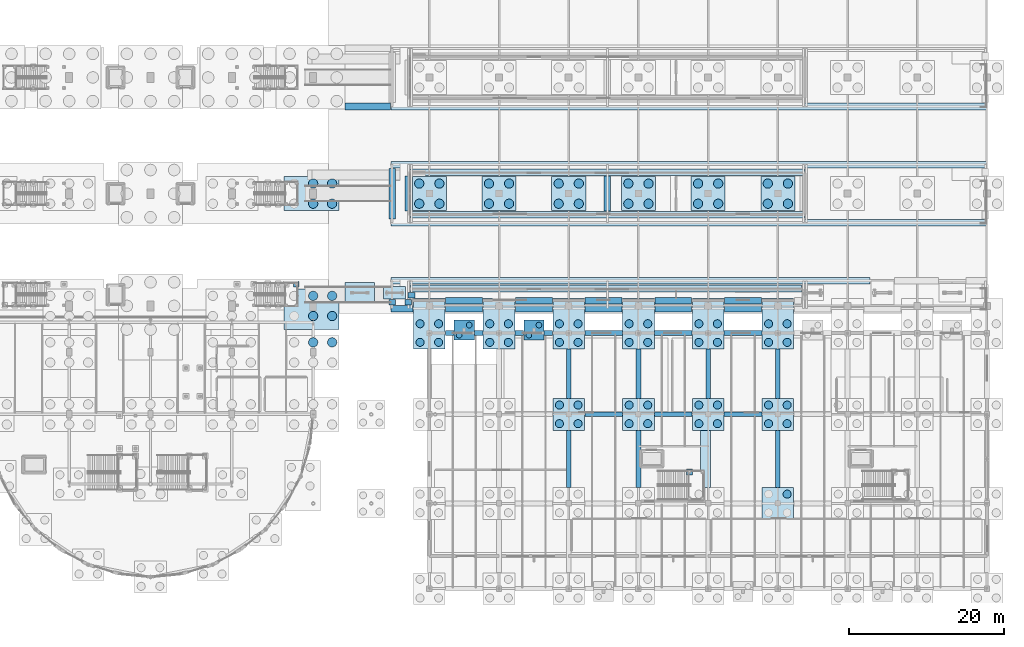
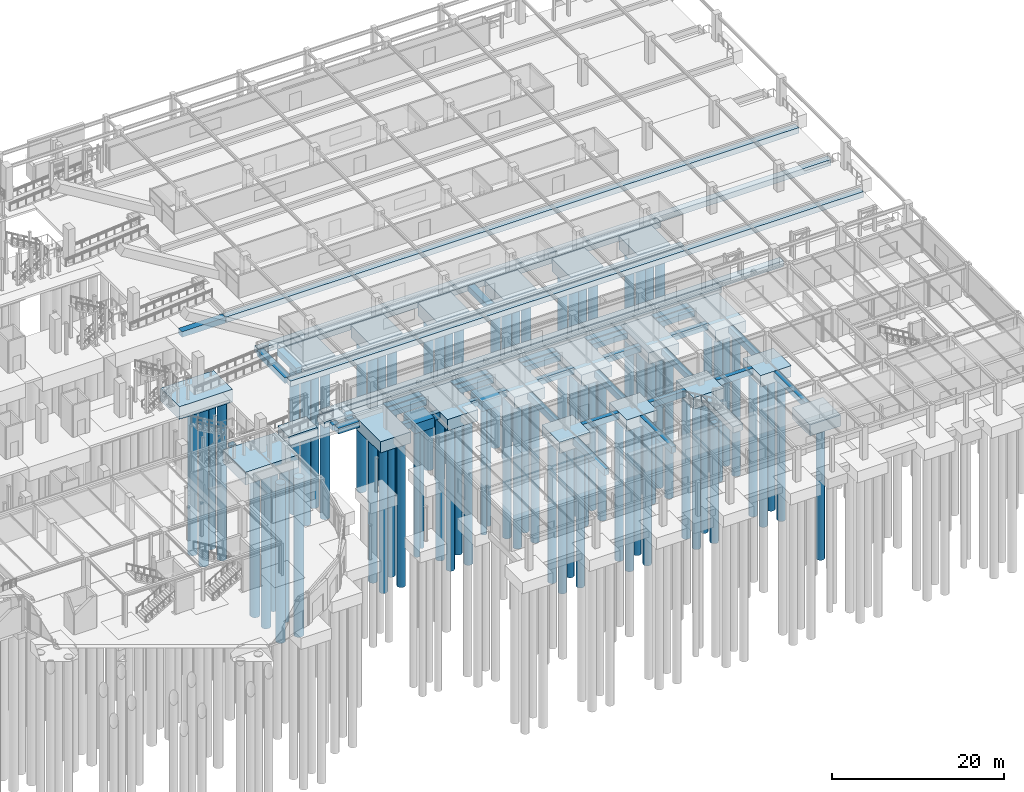
# One storey, part 6 of 160: 79 piles, 68 footings.
"""IFC4 building model written with IfcOpenShell, lengths in metres."""

from ifc_helpers import new_model, si_unit, direction, frame, origin, origin_2d, place, context, subcontext, project, spatial, rectangle, circle, extrude, material, material_profile, profile_set, type_object, element, save


model = new_model("IFC4")

# Units and contexts
model_context = context("Model", 3, precision=1e-05, world=origin(), true_north=direction((0.0, 1.0)))
body_context = subcontext(model_context, "Body", "Model", "MODEL_VIEW")
ifc_project = project(units=[si_unit("LENGTHUNIT", "METRE"), si_unit("AREAUNIT", "SQUARE_METRE"), si_unit("VOLUMEUNIT", "CUBIC_METRE"), si_unit("PLANEANGLEUNIT", "RADIAN"), si_unit("MASSUNIT", "GRAM", prefix="KILO")], contexts=[model_context])

# Site, building, storey
site_placement = place(None, origin())
site = spatial("IfcSite", under=ifc_project, at=site_placement, CompositionType="ELEMENT")
building_placement = place(site_placement, origin())
building = spatial("IfcBuilding", under=site, at=building_placement, Name="Marlcrest Central Station", CompositionType="ELEMENT")
storey_placement = place(building_placement, origin())
storey = spatial("IfcBuildingStorey", under=building, at=storey_placement, Name="L00", CompositionType="ELEMENT", Elevation=0.0)

# Piles
ifc_material_1 = material(Name="Concrete C35/45", Category="concrete")
ifc_material_profile_1 = material_profile(ifc_material_1, circle(Radius=0.375, at=origin_2d()), Name="PILE D750")
ifc_profile_set_1 = profile_set([ifc_material_profile_1], Name="Concrete C35/45")
pile_type_1 = type_object("IfcPileType", Name="BP-01", PredefinedType="BORED", material=ifc_profile_set_1)
for number, where, z_axis, x_axis, name in (
    (1, (147.85009765625, 32.72998046875, -1.300048828125), (0.0, 0.0, -1.0), (1.0, 0.0, 0.0), "pile-BP-01-0313"),
    (2, (149.14990234375, 34.030029296875, -1.300048828125), (0.0, 0.0, -1.0), (1.0, 0.0, 0.0), "pile-BP-01-0314"),
    (3, (156.85009765625, 32.72998046875, -1.300048828125), (0.0, 0.0, -1.0), (1.0, 0.0, 0.0), "pile-BP-01-0315"),
    (4, (158.14990234375, 34.030029296875, -1.300048828125), (0.0, 0.0, -1.0), (1.0, 0.0, 0.0), "pile-BP-01-0316"),
):
    element("IfcPile", number, at=place(storey_placement, frame(where, z_axis=z_axis, x_axis=x_axis)), inside=storey, type_object=pile_type_1, Name=name, PredefinedType="BORED", context=body_context, shape_type="SweptSolid", body=[
        extrude(circle(Radius=0.375, at=origin_2d()), origin(), (0.0, 0.0, 1.0), 18.0),
    ])
ifc_material_profile_2 = material_profile(ifc_material_1, circle(Radius=0.52490234375, at=origin_2d()), Name="PILE D1050")
ifc_profile_set_2 = profile_set([ifc_material_profile_2], Name="Concrete C35/45")
pile_type_2 = type_object("IfcPileType", Name="BP-03", PredefinedType="BORED", material=ifc_profile_set_2)
for number, where, z_axis, x_axis, name in (
    (5, (142.800048828125, 31.800048828125, -1.5), (0.0, 0.0, -1.0), (1.0, 0.0, 0.0), "pile-BP-03-0181"),
    (6, (145.199951171875, 31.800048828125, -1.5), (0.0, 0.0, -1.0), (1.0, 0.0, 0.0), "pile-BP-03-0182"),
    (7, (142.800048828125, 34.199951171875, -1.5), (0.0, 0.0, -1.0), (1.0, 0.0, 0.0), "pile-BP-03-0183"),
    (8, (145.199951171875, 34.199951171875, -1.5), (0.0, 0.0, -1.0), (1.0, 0.0, 0.0), "pile-BP-03-0184"),
    (9, (151.800048828125, 31.800048828125, -1.5), (0.0, 0.0, -1.0), (1.0, 0.0, 0.0), "pile-BP-03-0197"),
    (10, (154.199951171875, 31.800048828125, -1.5), (0.0, 0.0, -1.0), (1.0, 0.0, 0.0), "pile-BP-03-0198"),
    (11, (151.800048828125, 34.199951171875, -1.5), (0.0, 0.0, -1.0), (1.0, 0.0, 0.0), "pile-BP-03-0199"),
    (12, (154.199951171875, 34.199951171875, -1.5), (0.0, 0.0, -1.0), (1.0, 0.0, 0.0), "pile-BP-03-0200"),
    (13, (160.800048828125, 21.300048828125, -1.5), (0.0, 0.0, -1.0), (1.0, 0.0, 0.0), "pile-BP-03-0209"),
    (14, (163.199951171875, 21.300048828125, -1.5), (0.0, 0.0, -1.0), (1.0, 0.0, 0.0), "pile-BP-03-0210"),
    (15, (160.800048828125, 23.699951171875, -1.5), (0.0, 0.0, -1.0), (1.0, 0.0, 0.0), "pile-BP-03-0211"),
    (16, (163.199951171875, 23.699951171875, -1.5), (0.0, 0.0, -1.0), (1.0, 0.0, 0.0), "pile-BP-03-0212"),
    (17, (160.800048828125, 31.800048828125, -1.5), (0.0, 0.0, -1.0), (1.0, 0.0, 0.0), "pile-BP-03-0213"),
    (18, (163.199951171875, 31.800048828125, -1.5), (0.0, 0.0, -1.0), (1.0, 0.0, 0.0), "pile-BP-03-0214"),
    (19, (160.800048828125, 34.199951171875, -1.5), (0.0, 0.0, -1.0), (1.0, 0.0, 0.0), "pile-BP-03-0215"),
    (20, (163.199951171875, 34.199951171875, -1.5), (0.0, 0.0, -1.0), (1.0, 0.0, 0.0), "pile-BP-03-0216"),
    (21, (169.800048828125, 21.300048828125, -1.5), (0.0, 0.0, -1.0), (1.0, 0.0, 0.0), "pile-BP-03-0225"),
    (22, (172.199951171875, 21.300048828125, -1.5), (0.0, 0.0, -1.0), (1.0, 0.0, 0.0), "pile-BP-03-0226"),
    (23, (169.800048828125, 23.699951171875, -1.5), (0.0, 0.0, -1.0), (1.0, 0.0, 0.0), "pile-BP-03-0227"),
    (24, (172.199951171875, 23.699951171875, -1.5), (0.0, 0.0, -1.0), (1.0, 0.0, 0.0), "pile-BP-03-0228"),
    (25, (169.800048828125, 31.800048828125, -1.5), (0.0, 0.0, -1.0), (1.0, 0.0, 0.0), "pile-BP-03-0229"),
    (26, (172.199951171875, 31.800048828125, -1.5), (0.0, 0.0, -1.0), (1.0, 0.0, 0.0), "pile-BP-03-0230"),
    (27, (169.800048828125, 34.199951171875, -1.5), (0.0, 0.0, -1.0), (1.0, 0.0, 0.0), "pile-BP-03-0231"),
    (28, (172.199951171875, 34.199951171875, -1.5), (0.0, 0.0, -1.0), (1.0, 0.0, 0.0), "pile-BP-03-0232"),
    (29, (178.800048828125, 21.300048828125, -1.5), (0.0, 0.0, -1.0), (1.0, 0.0, 0.0), "pile-BP-03-0241"),
    (30, (181.199951171875, 21.300048828125, -1.5), (0.0, 0.0, -1.0), (1.0, 0.0, 0.0), "pile-BP-03-0242"),
    (31, (178.800048828125, 23.699951171875, -1.5), (0.0, 0.0, -1.0), (1.0, 0.0, 0.0), "pile-BP-03-0243"),
    (32, (181.199951171875, 23.699951171875, -1.5), (0.0, 0.0, -1.0), (1.0, 0.0, 0.0), "pile-BP-03-0244"),
    (33, (178.800048828125, 31.800048828125, -1.5), (0.0, 0.0, -1.0), (1.0, 0.0, 0.0), "pile-BP-03-0245"),
    (34, (181.199951171875, 31.800048828125, -1.5), (0.0, 0.0, -1.0), (1.0, 0.0, 0.0), "pile-BP-03-0246"),
    (35, (178.800048828125, 34.199951171875, -1.5), (0.0, 0.0, -1.0), (1.0, 0.0, 0.0), "pile-BP-03-0247"),
    (36, (181.199951171875, 34.199951171875, -1.5), (0.0, 0.0, -1.0), (1.0, 0.0, 0.0), "pile-BP-03-0248"),
    (37, (190.199951171875, 12.199951171875, -1.5), (0.0, 0.0, -1.0), (1.0, 0.0, 0.0), "pile-BP-03-0256"),
    (38, (187.800048828125, 21.300048828125, -1.5), (0.0, 0.0, -1.0), (1.0, 0.0, 0.0), "pile-BP-03-0257"),
    (39, (190.199951171875, 21.300048828125, -1.5), (0.0, 0.0, -1.0), (1.0, 0.0, 0.0), "pile-BP-03-0258"),
    (40, (187.800048828125, 23.699951171875, -1.5), (0.0, 0.0, -1.0), (1.0, 0.0, 0.0), "pile-BP-03-0259"),
    (41, (190.199951171875, 23.699951171875, -1.5), (0.0, 0.0, -1.0), (1.0, 0.0, 0.0), "pile-BP-03-0260"),
    (42, (187.800048828125, 31.800048828125, -1.5), (0.0, 0.0, -1.0), (1.0, 0.0, 0.0), "pile-BP-03-0261"),
    (43, (190.199951171875, 31.800048828125, -1.5), (0.0, 0.0, -1.0), (1.0, 0.0, 0.0), "pile-BP-03-0262"),
    (44, (187.800048828125, 34.199951171875, -1.5), (0.0, 0.0, -1.0), (1.0, 0.0, 0.0), "pile-BP-03-0263"),
    (45, (190.199951171875, 34.199951171875, -1.5), (0.0, 0.0, -1.0), (1.0, 0.0, 0.0), "pile-BP-03-0264"),
):
    element("IfcPile", number, at=place(storey_placement, frame(where, z_axis=z_axis, x_axis=x_axis)), inside=storey, type_object=pile_type_2, Name=name, PredefinedType="BORED", context=body_context, shape_type="SweptSolid", body=[
        extrude(circle(Radius=0.52490234375, at=origin_2d()), origin(), (0.0, 0.0, 1.0), 20.5),
    ])
ifc_material_profile_3 = material_profile(ifc_material_1, circle(Radius=0.60009765625, at=origin_2d()), Name="PILE D1200")
ifc_profile_set_3 = profile_set([ifc_material_profile_3], Name="Concrete C35/45")
pile_type_3 = type_object("IfcPileType", Name="BP-04", PredefinedType="BORED", material=ifc_profile_set_3)
for number, where, z_axis, x_axis, name in (
    (46, (142.699951171875, 49.699951171875, -1.699951171875), (0.0, 0.0, -1.0), (1.0, 0.0, 0.0), "pile-BP-04-0553"),
    (47, (145.300048828125, 49.699951171875, -1.699951171875), (0.0, 0.0, -1.0), (1.0, 0.0, 0.0), "pile-BP-04-0554"),
    (48, (142.699951171875, 52.300048828125, -1.699951171875), (0.0, 0.0, -1.0), (1.0, 0.0, 0.0), "pile-BP-04-0555"),
    (49, (145.300048828125, 52.300048828125, -1.699951171875), (0.0, 0.0, -1.0), (1.0, 0.0, 0.0), "pile-BP-04-0556"),
    (50, (151.699951171875, 49.699951171875, -1.699951171875), (0.0, 0.0, -1.0), (1.0, 0.0, 0.0), "pile-BP-04-0569"),
    (51, (154.300048828125, 49.699951171875, -1.699951171875), (0.0, 0.0, -1.0), (1.0, 0.0, 0.0), "pile-BP-04-0570"),
    (52, (151.699951171875, 52.300048828125, -1.699951171875), (0.0, 0.0, -1.0), (1.0, 0.0, 0.0), "pile-BP-04-0571"),
    (53, (154.300048828125, 52.300048828125, -1.699951171875), (0.0, 0.0, -1.0), (1.0, 0.0, 0.0), "pile-BP-04-0572"),
    (54, (160.699951171875, 49.699951171875, -1.699951171875), (0.0, 0.0, -1.0), (1.0, 0.0, 0.0), "pile-BP-04-0585"),
    (55, (163.300048828125, 49.699951171875, -1.699951171875), (0.0, 0.0, -1.0), (1.0, 0.0, 0.0), "pile-BP-04-0586"),
    (56, (160.699951171875, 52.300048828125, -1.699951171875), (0.0, 0.0, -1.0), (1.0, 0.0, 0.0), "pile-BP-04-0587"),
    (57, (163.300048828125, 52.300048828125, -1.699951171875), (0.0, 0.0, -1.0), (1.0, 0.0, 0.0), "pile-BP-04-0588"),
    (58, (169.699951171875, 49.699951171875, -1.699951171875), (0.0, 0.0, -1.0), (1.0, 0.0, 0.0), "pile-BP-04-0601"),
    (59, (172.300048828125, 49.699951171875, -1.699951171875), (0.0, 0.0, -1.0), (1.0, 0.0, 0.0), "pile-BP-04-0602"),
    (60, (169.699951171875, 52.300048828125, -1.699951171875), (0.0, 0.0, -1.0), (1.0, 0.0, 0.0), "pile-BP-04-0603"),
    (61, (172.300048828125, 52.300048828125, -1.699951171875), (0.0, 0.0, -1.0), (1.0, 0.0, 0.0), "pile-BP-04-0604"),
    (62, (178.699951171875, 49.699951171875, -1.699951171875), (0.0, 0.0, -1.0), (1.0, 0.0, 0.0), "pile-BP-04-0617"),
    (63, (181.300048828125, 49.699951171875, -1.699951171875), (0.0, 0.0, -1.0), (1.0, 0.0, 0.0), "pile-BP-04-0618"),
    (64, (178.699951171875, 52.300048828125, -1.699951171875), (0.0, 0.0, -1.0), (1.0, 0.0, 0.0), "pile-BP-04-0619"),
    (65, (181.300048828125, 52.300048828125, -1.699951171875), (0.0, 0.0, -1.0), (1.0, 0.0, 0.0), "pile-BP-04-0620"),
    (66, (187.699951171875, 49.699951171875, -1.699951171875), (0.0, 0.0, -1.0), (1.0, 0.0, 0.0), "pile-BP-04-0633"),
    (67, (190.300048828125, 49.699951171875, -1.699951171875), (0.0, 0.0, -1.0), (1.0, 0.0, 0.0), "pile-BP-04-0634"),
    (68, (187.699951171875, 52.300048828125, -1.699951171875), (0.0, 0.0, -1.0), (1.0, 0.0, 0.0), "pile-BP-04-0635"),
    (69, (190.300048828125, 52.300048828125, -1.699951171875), (0.0, 0.0, -1.0), (1.0, 0.0, 0.0), "pile-BP-04-0636"),
):
    element("IfcPile", number, at=place(storey_placement, frame(where, z_axis=z_axis, x_axis=x_axis)), inside=storey, type_object=pile_type_3, Name=name, PredefinedType="BORED", context=body_context, shape_type="SweptSolid", body=[
        extrude(circle(Radius=0.60009765625, at=origin_2d()), origin(), (0.0, 0.0, 1.0), 21.5),
    ])
for number, where, z_axis, x_axis, name in (
    (70, (129.0, 35.199951171875, -1.699951171875), (0.0, 0.0, -1.0), (1.0, 0.0, 0.0), "pile-BP-04-0838"),
    (71, (131.449951171875, 35.199951171875, -1.699951171875), (0.0, 0.0, -1.0), (1.0, 0.0, 0.0), "pile-BP-04-0839"),
    (72, (129.0, 37.800048828125, -1.699951171875), (0.0, 0.0, -1.0), (1.0, 0.0, 0.0), "pile-BP-04-0841"),
    (73, (131.449951171875, 37.800048828125, -1.699951171875), (0.0, 0.0, -1.0), (1.0, 0.0, 0.0), "pile-BP-04-0842"),
    (74, (129.0, 49.699951171875, -1.699951171875), (0.0, 0.0, -1.0), (1.0, 0.0, 0.0), "pile-BP-04-0844"),
    (75, (131.449951171875, 49.699951171875, -1.699951171875), (0.0, 0.0, -1.0), (1.0, 0.0, 0.0), "pile-BP-04-0845"),
    (76, (129.0, 52.300048828125, -1.699951171875), (0.0, 0.0, -1.0), (1.0, 0.0, 0.0), "pile-BP-04-0847"),
    (77, (131.449951171875, 52.300048828125, -1.699951171875), (0.0, 0.0, -1.0), (1.0, 0.0, 0.0), "pile-BP-04-0848"),
    (78, (129.0, 31.800048828125, -1.699951171875), (0.0, 0.0, -1.0), (1.0, 0.0, 0.0), "pile-BP-04-0909"),
    (79, (131.449951171875, 31.800048828125, -1.699951171875), (0.0, 0.0, -1.0), (1.0, 0.0, 0.0), "pile-BP-04-0910"),
):
    element("IfcPile", number, at=place(storey_placement, frame(where, z_axis=z_axis, x_axis=x_axis)), inside=storey, type_object=pile_type_3, Name=name, PredefinedType="BORED", context=body_context, shape_type="SweptSolid", body=[
        extrude(circle(Radius=0.60009765625, at=origin_2d()), origin(), (0.0, 0.0, 1.0), 22.5),
    ])

# Footings
ifc_material_2 = material(Name="Concrete C40/50", Category="concrete")
footing_type_1 = type_object("IfcFootingType", Name="GB-01", PredefinedType="FOOTING_BEAM", material=ifc_material_2)
for number, where, z_axis, x_axis, name in (
    (80, (146.6298828125, 33.0, -0.89990234375), (0.0, 0.0, 1.0), (1.0, 0.0, 0.0), "ftg-gb-0063"),
    (81, (150.3701171875, 33.0, -0.89990234375), (0.0, 0.0, 1.0), (1.0, 0.0, 0.0), "ftg-gb-0063"),
    (82, (155.6298828125, 33.0, -0.89990234375), (0.0, 0.0, 1.0), (1.0, 0.0, 0.0), "ftg-gb-0067"),
    (83, (159.3701171875, 33.0, -0.89990234375), (0.0, 0.0, 1.0), (1.0, 0.0, 0.0), "ftg-gb-0067"),
):
    element("IfcFooting", number, at=place(storey_placement, frame(where, z_axis=z_axis, x_axis=x_axis)), inside=storey, type_object=footing_type_1, Name=name, PredefinedType="FOOTING_BEAM", context=body_context, shape_type="SweptSolid", body=[
        extrude(rectangle(XDim=1.1201171875, YDim=0.60009765625, at=origin_2d()), origin(), (0.0, 0.0, 1.0), 0.89990234375),
    ])
for number, where, z_axis, x_axis, name in (
    (84, (166.5, 22.5, -0.89990234375), (0.0, 0.0, 1.0), (1.0, 0.0, 0.0), "ftg-gb-0070"),
    (85, (166.5, 33.0, -0.89990234375), (0.0, 0.0, 1.0), (1.0, 0.0, 0.0), "ftg-gb-0071"),
    (86, (175.5, 22.5, -0.89990234375), (0.0, 0.0, 1.0), (1.0, 0.0, 0.0), "ftg-gb-0074"),
    (87, (175.5, 33.0, -0.89990234375), (0.0, 0.0, 1.0), (1.0, 0.0, 0.0), "ftg-gb-0075"),
    (88, (184.5, 22.5, -0.89990234375), (0.0, 0.0, 1.0), (1.0, 0.0, 0.0), "ftg-gb-0078"),
    (89, (184.5, 33.0, -0.89990234375), (0.0, 0.0, 1.0), (1.0, 0.0, 0.0), "ftg-gb-0079"),
):
    element("IfcFooting", number, at=place(storey_placement, frame(where, z_axis=z_axis, x_axis=x_axis)), inside=storey, type_object=footing_type_1, Name=name, PredefinedType="FOOTING_BEAM", context=body_context, shape_type="SweptSolid", body=[
        extrude(rectangle(XDim=4.860107421875, YDim=0.60009765625, at=origin_2d()), origin(), (0.0, 0.0, 1.0), 0.89990234375),
    ])
footing_1_placement = place(storey_placement, frame((162.0, 16.75, -0.89990234375), z_axis=(0.0, 0.0, 1.0), x_axis=(1.0, 0.0, 0.0)))
element("IfcFooting", 90, at=footing_1_placement, inside=storey, type_object=footing_type_1, Name="ftg-gb-0099", PredefinedType="FOOTING_BEAM", context=body_context, shape_type="SweptSolid", body=[
    extrude(rectangle(XDim=0.60009765625, YDim=7.360107421875, at=origin_2d()), origin(), (0.0, 0.0, 1.0), 0.89990234375),
])
footing_2_placement = place(storey_placement, frame((162.0, 27.75, -0.89990234375), z_axis=(0.0, 0.0, 1.0), x_axis=(1.0, 0.0, 0.0)))
element("IfcFooting", 91, at=footing_2_placement, inside=storey, type_object=footing_type_1, Name="ftg-gb-0100", PredefinedType="FOOTING_BEAM", context=body_context, shape_type="SweptSolid", body=[
    extrude(rectangle(XDim=0.60009765625, YDim=6.360107421875, at=origin_2d()), origin(), (0.0, 0.0, 1.0), 0.89990234375),
])
footing_3_placement = place(storey_placement, frame((171.0, 16.75, -0.89990234375), z_axis=(0.0, 0.0, 1.0), x_axis=(1.0, 0.0, 0.0)))
element("IfcFooting", 92, at=footing_3_placement, inside=storey, type_object=footing_type_1, Name="ftg-gb-0102", PredefinedType="FOOTING_BEAM", context=body_context, shape_type="SweptSolid", body=[
    extrude(rectangle(XDim=0.60009765625, YDim=7.360107421875, at=origin_2d()), origin(), (0.0, 0.0, 1.0), 0.89990234375),
])
footing_4_placement = place(storey_placement, frame((171.0, 27.75, -0.89990234375), z_axis=(0.0, 0.0, 1.0), x_axis=(1.0, 0.0, 0.0)))
element("IfcFooting", 93, at=footing_4_placement, inside=storey, type_object=footing_type_1, Name="ftg-gb-0103", PredefinedType="FOOTING_BEAM", context=body_context, shape_type="SweptSolid", body=[
    extrude(rectangle(XDim=0.60009765625, YDim=6.360107421875, at=origin_2d()), origin(), (0.0, 0.0, 1.0), 0.89990234375),
])
footing_5_placement = place(storey_placement, frame((179.64501953125, 16.75, -0.89990234375), z_axis=(0.0, 0.0, 1.0), x_axis=(1.0, 0.0, 0.0)))
element("IfcFooting", 94, at=footing_5_placement, inside=storey, type_object=footing_type_1, Name="ftg-gb-0105", PredefinedType="FOOTING_BEAM", context=body_context, shape_type="SweptSolid", body=[
    extrude(rectangle(XDim=1.31005859375, YDim=7.360107421875, at=origin_2d()), origin(), (0.0, 0.0, 1.0), 0.89990234375),
])
footing_6_placement = place(storey_placement, frame((180.0, 27.75, -0.89990234375), z_axis=(0.0, 0.0, 1.0), x_axis=(1.0, 0.0, 0.0)))
element("IfcFooting", 95, at=footing_6_placement, inside=storey, type_object=footing_type_1, Name="ftg-gb-0106", PredefinedType="FOOTING_BEAM", context=body_context, shape_type="SweptSolid", body=[
    extrude(rectangle(XDim=0.60009765625, YDim=6.360107421875, at=origin_2d()), origin(), (0.0, 0.0, 1.0), 0.89990234375),
])
footing_7_placement = place(storey_placement, frame((189.0, 16.75, -0.89990234375), z_axis=(0.0, 0.0, 1.0), x_axis=(1.0, 0.0, 0.0)))
element("IfcFooting", 96, at=footing_7_placement, inside=storey, type_object=footing_type_1, Name="ftg-gb-0108", PredefinedType="FOOTING_BEAM", context=body_context, shape_type="SweptSolid", body=[
    extrude(rectangle(XDim=0.60009765625, YDim=7.360107421875, at=origin_2d()), origin(), (0.0, 0.0, 1.0), 0.89990234375),
])
footing_8_placement = place(storey_placement, frame((189.0, 27.75, -0.89990234375), z_axis=(0.0, 0.0, 1.0), x_axis=(1.0, 0.0, 0.0)))
element("IfcFooting", 97, at=footing_8_placement, inside=storey, type_object=footing_type_1, Name="ftg-gb-0109", PredefinedType="FOOTING_BEAM", context=body_context, shape_type="SweptSolid", body=[
    extrude(rectangle(XDim=0.60009765625, YDim=6.360107421875, at=origin_2d()), origin(), (0.0, 0.0, 1.0), 0.89990234375),
])
footing_type_2 = type_object("IfcFootingType", Name="PC-01", PredefinedType="PILE_CAP", material=ifc_material_2)
for number, where, z_axis, x_axis, name in (
    (98, (148.5, 33.3798828125, -1.39990234375), (0.0, 0.0, 1.0), (1.0, 0.0, 0.0), "ftg-cap-0077"),
    (99, (157.5, 33.3798828125, -1.39990234375), (0.0, 0.0, 1.0), (1.0, 0.0, 0.0), "ftg-cap-0078"),
):
    element("IfcFooting", number, at=place(storey_placement, frame(where, z_axis=z_axis, x_axis=x_axis)), inside=storey, type_object=footing_type_2, Name=name, PredefinedType="PILE_CAP", context=body_context, shape_type="SweptSolid", body=[
        extrude(rectangle(XDim=2.610107421875, YDim=2.610107421875, at=origin_2d()), origin(), (0.0, 0.0, 1.0), 1.39990234375),
    ])
footing_type_3 = type_object("IfcFootingType", Name="PC-03", PredefinedType="PILE_CAP", material=ifc_material_2)
for number, where, z_axis, x_axis, name in (
    (100, (144.0, 34.199951171875, -1.60009765625), (0.0, 0.0, 1.0), (1.0, 0.0, 0.0), "ftg-cap-0044"),
    (101, (153.0, 34.199951171875, -1.60009765625), (0.0, 0.0, 1.0), (1.0, 0.0, 0.0), "ftg-cap-0048"),
):
    element("IfcFooting", number, at=place(storey_placement, frame(where, z_axis=z_axis, x_axis=x_axis)), inside=storey, type_object=footing_type_3, Name=name, PredefinedType="PILE_CAP", context=body_context, shape_type="SweptSolid", body=[
        extrude(rectangle(XDim=4.10009765625, YDim=6.5, at=origin_2d()), origin(), (0.0, 0.0, 1.0), 1.60009765625),
    ])
footing_9_placement = place(storey_placement, frame((162.0, 22.5, -1.60009765625), z_axis=(0.0, 0.0, 1.0), x_axis=(1.0, 0.0, 0.0)))
element("IfcFooting", 102, at=footing_9_placement, inside=storey, type_object=footing_type_3, Name="ftg-cap-0051", PredefinedType="PILE_CAP", context=body_context, shape_type="SweptSolid", body=[
    extrude(rectangle(XDim=4.10009765625, YDim=4.10009765625, at=origin_2d()), origin(), (0.0, 0.0, 1.0), 1.60009765625),
])
footing_10_placement = place(storey_placement, frame((162.0, 34.199951171875, -1.60009765625), z_axis=(0.0, 0.0, 1.0), x_axis=(1.0, 0.0, 0.0)))
element("IfcFooting", 103, at=footing_10_placement, inside=storey, type_object=footing_type_3, Name="ftg-cap-0052", PredefinedType="PILE_CAP", context=body_context, shape_type="SweptSolid", body=[
    extrude(rectangle(XDim=4.10009765625, YDim=6.5, at=origin_2d()), origin(), (0.0, 0.0, 1.0), 1.60009765625),
])
footing_11_placement = place(storey_placement, frame((171.0, 22.5, -1.60009765625), z_axis=(0.0, 0.0, 1.0), x_axis=(1.0, 0.0, 0.0)))
element("IfcFooting", 104, at=footing_11_placement, inside=storey, type_object=footing_type_3, Name="ftg-cap-0055", PredefinedType="PILE_CAP", context=body_context, shape_type="SweptSolid", body=[
    extrude(rectangle(XDim=4.10009765625, YDim=4.10009765625, at=origin_2d()), origin(), (0.0, 0.0, 1.0), 1.60009765625),
])
footing_12_placement = place(storey_placement, frame((171.0, 34.199951171875, -1.60009765625), z_axis=(0.0, 0.0, 1.0), x_axis=(1.0, 0.0, 0.0)))
element("IfcFooting", 105, at=footing_12_placement, inside=storey, type_object=footing_type_3, Name="ftg-cap-0056", PredefinedType="PILE_CAP", context=body_context, shape_type="SweptSolid", body=[
    extrude(rectangle(XDim=4.10009765625, YDim=6.5, at=origin_2d()), origin(), (0.0, 0.0, 1.0), 1.60009765625),
])
footing_13_placement = place(storey_placement, frame((180.0, 22.5, -1.60009765625), z_axis=(0.0, 0.0, 1.0), x_axis=(1.0, 0.0, 0.0)))
element("IfcFooting", 106, at=footing_13_placement, inside=storey, type_object=footing_type_3, Name="ftg-cap-0059", PredefinedType="PILE_CAP", context=body_context, shape_type="SweptSolid", body=[
    extrude(rectangle(XDim=4.10009765625, YDim=4.10009765625, at=origin_2d()), origin(), (0.0, 0.0, 1.0), 1.60009765625),
])
footing_14_placement = place(storey_placement, frame((180.0, 34.199951171875, -1.60009765625), z_axis=(0.0, 0.0, 1.0), x_axis=(1.0, 0.0, 0.0)))
element("IfcFooting", 107, at=footing_14_placement, inside=storey, type_object=footing_type_3, Name="ftg-cap-0060", PredefinedType="PILE_CAP", context=body_context, shape_type="SweptSolid", body=[
    extrude(rectangle(XDim=4.10009765625, YDim=6.5, at=origin_2d()), origin(), (0.0, 0.0, 1.0), 1.60009765625),
])
for number, where, z_axis, x_axis, name in (
    (108, (189.0, 11.0, -1.60009765625), (0.0, 0.0, 1.0), (1.0, 0.0, 0.0), "ftg-cap-0062"),
    (109, (189.0, 22.5, -1.60009765625), (0.0, 0.0, 1.0), (1.0, 0.0, 0.0), "ftg-cap-0063"),
):
    element("IfcFooting", number, at=place(storey_placement, frame(where, z_axis=z_axis, x_axis=x_axis)), inside=storey, type_object=footing_type_3, Name=name, PredefinedType="PILE_CAP", context=body_context, shape_type="SweptSolid", body=[
        extrude(rectangle(XDim=4.10009765625, YDim=4.10009765625, at=origin_2d()), origin(), (0.0, 0.0, 1.0), 1.60009765625),
    ])
footing_15_placement = place(storey_placement, frame((189.0, 34.199951171875, -1.60009765625), z_axis=(0.0, 0.0, 1.0), x_axis=(1.0, 0.0, 0.0)))
element("IfcFooting", 110, at=footing_15_placement, inside=storey, type_object=footing_type_3, Name="ftg-cap-0064", PredefinedType="PILE_CAP", context=body_context, shape_type="SweptSolid", body=[
    extrude(rectangle(XDim=4.10009765625, YDim=6.5, at=origin_2d()), origin(), (0.0, 0.0, 1.0), 1.60009765625),
])
footing_type_4 = type_object("IfcFootingType", Name="PC-04", PredefinedType="PILE_CAP", material=ifc_material_2)
for number, where, z_axis, x_axis, name in (
    (111, (144.0, 51.0, -1.7998046875), (0.0, 0.0, 1.0), (1.0, 0.0, 0.0), "ftg-cap-0145"),
    (112, (153.0, 51.0, -1.7998046875), (0.0, 0.0, 1.0), (1.0, 0.0, 0.0), "ftg-cap-0149"),
    (113, (162.0, 51.0, -1.7998046875), (0.0, 0.0, 1.0), (1.0, 0.0, 0.0), "ftg-cap-0153"),
    (114, (171.0, 51.0, -1.7998046875), (0.0, 0.0, 1.0), (1.0, 0.0, 0.0), "ftg-cap-0157"),
    (115, (180.0, 51.0, -1.7998046875), (0.0, 0.0, 1.0), (1.0, 0.0, 0.0), "ftg-cap-0161"),
    (116, (189.0, 51.0, -1.7998046875), (0.0, 0.0, 1.0), (1.0, 0.0, 0.0), "ftg-cap-0165"),
):
    element("IfcFooting", number, at=place(storey_placement, frame(where, z_axis=z_axis, x_axis=x_axis)), inside=storey, type_object=footing_type_4, Name=name, PredefinedType="PILE_CAP", context=body_context, shape_type="SweptSolid", body=[
        extrude(rectangle(XDim=4.39990234375, YDim=4.39990234375, at=origin_2d()), origin(), (0.0, 0.0, 1.0), 1.800048828125),
    ])
footing_type_5 = type_object("IfcFootingType", Name="PC-05", PredefinedType="PILE_CAP", material=ifc_material_2)
footing_16_placement = place(storey_placement, frame((128.7900390625, 36.074951171875, -1.7998046875), z_axis=(0.0, 0.0, 1.0), x_axis=(1.0, 0.0, 0.0)))
element("IfcFooting", 117, at=footing_16_placement, inside=storey, type_object=footing_type_5, Name="ftg-cap-0203", PredefinedType="PILE_CAP", context=body_context, shape_type="SweptSolid", body=[
    extrude(rectangle(XDim=7.1201171875, YDim=5.25, at=origin_2d()), origin(), (0.0, 0.0, 1.0), 1.800048828125),
])
footing_17_placement = place(storey_placement, frame((128.7900390625, 51.0, -1.7998046875), z_axis=(0.0, 0.0, 1.0), x_axis=(1.0, 0.0, 0.0)))
element("IfcFooting", 118, at=footing_17_placement, inside=storey, type_object=footing_type_5, Name="ftg-cap-0204", PredefinedType="PILE_CAP", context=body_context, shape_type="SweptSolid", body=[
    extrude(rectangle(XDim=7.1201171875, YDim=4.39990234375, at=origin_2d()), origin(), (0.0, 0.0, 1.0), 1.800048828125),
])
footing_type_6 = type_object("IfcFootingType", Name="PF-03", PredefinedType="PAD_FOOTING", material=ifc_material_2)
for number, where, z_axis, x_axis, name in (
    (119, (126.830078125, 39.300048828125, -0.43994140625), (0.0, 0.0, 1.0), (1.0, 0.0, 0.0), "stftg-lo-0005-1268-393"),
    (120, (177.590087890625, 15.070068359375, -0.43994140625), (0.0, 0.0, 1.0), (1.0, 0.0, 0.0), "htftg-0037-3"),
):
    element("IfcFooting", number, at=place(storey_placement, frame(where, z_axis=z_axis, x_axis=x_axis)), inside=storey, type_object=footing_type_6, Name=name, PredefinedType="PAD_FOOTING", context=body_context, shape_type="SweptSolid", body=[
        extrude(rectangle(XDim=0.75, YDim=0.75, at=origin_2d()), origin(), (0.0, 0.0, 1.0), 0.43994140625),
    ])
footing_type_7 = type_object("IfcFootingType", Name="PF-04", PredefinedType="PAD_FOOTING", material=ifc_material_2)
footing_18_placement = place(storey_placement, frame((139.5, 38.199951171875, -0.60009765625), z_axis=(0.0, 0.0, 1.0), x_axis=(1.0, 0.0, 0.0)))
element("IfcFooting", 121, at=footing_18_placement, inside=storey, type_object=footing_type_7, Name="ftg-pad-ap-3-0", PredefinedType="PAD_FOOTING", context=body_context, shape_type="SweptSolid", body=[
    extrude(rectangle(XDim=2.800048828125, YDim=1.60009765625, at=origin_2d()), origin(), (0.0, 0.0, 1.0), 0.800048828125),
])
footing_type_8 = type_object("IfcFootingType", Name="PF-08", PredefinedType="PAD_FOOTING", material=ifc_material_2)
footing_19_placement = place(storey_placement, frame((135.0, 38.199951171875, -1.050048828125), z_axis=(0.0, 0.0, 1.0), x_axis=(1.0, 0.0, 0.0)))
element("IfcFooting", 122, at=footing_19_placement, inside=storey, type_object=footing_type_8, Name="ftg-pad-ap-7-0", PredefinedType="PAD_FOOTING", context=body_context, shape_type="SweptSolid", body=[
    extrude(rectangle(XDim=3.800048828125, YDim=2.60009765625, at=origin_2d()), origin(), (0.0, 0.0, 1.0), 1.25),
])
footing_type_9 = type_object("IfcFootingType", Name="SF-01", PredefinedType="STRIP_FOOTING", material=ifc_material_2)
footing_20_placement = place(storey_placement, frame((140.449951171875, 36.14990234375, -0.7998046875), z_axis=(0.0, 0.0, 1.0), x_axis=(1.0, 0.0, 0.0)))
element("IfcFooting", 123, at=footing_20_placement, inside=storey, type_object=footing_type_9, Name="ftg-pw-0021", PredefinedType="STRIP_FOOTING", context=body_context, shape_type="SweptSolid", body=[
    extrude(rectangle(XDim=2.860107421875, YDim=0.85009765625, at=origin_2d()), origin(), (0.0, 0.0, 1.0), 0.800048828125),
])
for number, where, z_axis, x_axis, name in (
    (124, (148.5, 36.14990234375, -0.7998046875), (0.0, 0.0, 1.0), (1.0, 0.0, 0.0), "ftg-pw-0022"),
    (125, (157.5, 36.14990234375, -0.7998046875), (0.0, 0.0, 1.0), (1.0, 0.0, 0.0), "ftg-pw-0023"),
    (126, (166.5, 36.14990234375, -0.7998046875), (0.0, 0.0, 1.0), (1.0, 0.0, 0.0), "ftg-pw-0024"),
    (127, (175.5, 36.14990234375, -0.7998046875), (0.0, 0.0, 1.0), (1.0, 0.0, 0.0), "ftg-pw-0025"),
    (128, (184.5, 36.14990234375, -0.7998046875), (0.0, 0.0, 1.0), (1.0, 0.0, 0.0), "ftg-pw-0026"),
):
    element("IfcFooting", number, at=place(storey_placement, frame(where, z_axis=z_axis, x_axis=x_axis)), inside=storey, type_object=footing_type_9, Name=name, PredefinedType="STRIP_FOOTING", context=body_context, shape_type="SweptSolid", body=[
        extrude(rectangle(XDim=4.760009765625, YDim=0.85009765625, at=origin_2d()), origin(), (0.0, 0.0, 1.0), 0.800048828125),
    ])
footing_21_placement = place(storey_placement, frame((169.97509765625, 39.75, -0.7998046875), z_axis=(0.0, 0.0, 1.0), x_axis=(1.0, 0.0, 0.0)))
element("IfcFooting", 129, at=footing_21_placement, inside=storey, type_object=footing_type_9, Name="ftg-pw-0030", PredefinedType="STRIP_FOOTING", context=body_context, shape_type="SweptSolid", body=[
    extrude(rectangle(XDim=61.909912109375, YDim=0.85009765625, at=origin_2d()), origin(), (0.0, 0.0, 1.0), 0.800048828125),
])
for number, where, z_axis, x_axis, name in (
    (130, (148.5, 37.14990234375, -0.7998046875), (0.0, 0.0, 1.0), (1.0, 0.0, 0.0), "ftg-pw-0033"),
    (131, (157.5, 37.14990234375, -0.7998046875), (0.0, 0.0, 1.0), (1.0, 0.0, 0.0), "ftg-pw-0034"),
    (132, (166.5, 37.14990234375, -0.7998046875), (0.0, 0.0, 1.0), (1.0, 0.0, 0.0), "ftg-pw-0035"),
    (133, (175.5, 37.14990234375, -0.7998046875), (0.0, 0.0, 1.0), (1.0, 0.0, 0.0), "ftg-pw-0036"),
    (134, (184.5, 37.14990234375, -0.7998046875), (0.0, 0.0, 1.0), (1.0, 0.0, 0.0), "ftg-pw-0037"),
):
    element("IfcFooting", number, at=place(storey_placement, frame(where, z_axis=z_axis, x_axis=x_axis)), inside=storey, type_object=footing_type_9, Name=name, PredefinedType="STRIP_FOOTING", context=body_context, shape_type="SweptSolid", body=[
        extrude(rectangle(XDim=4.760009765625, YDim=0.85009765625, at=origin_2d()), origin(), (0.0, 0.0, 1.0), 0.800048828125),
    ])
footing_22_placement = place(storey_placement, frame((166.77490234375, 38.75, -0.7998046875), z_axis=(0.0, 0.0, 1.0), x_axis=(1.0, 0.0, 0.0)))
element("IfcFooting", 135, at=footing_22_placement, inside=storey, type_object=footing_type_9, Name="ftg-pw-0039", PredefinedType="STRIP_FOOTING", context=body_context, shape_type="SweptSolid", body=[
    extrude(rectangle(XDim=50.510009765625, YDim=0.85009765625, at=origin_2d()), origin(), (0.0, 0.0, 1.0), 0.800048828125),
])
for number, where, z_axis, x_axis, name in (
    (136, (139.199951171875, 36.987060546875, -0.7998046875), (0.0, 0.0, 1.0), (1.0, 0.0, 0.0), "ftg-pw-0040"),
    (137, (141.300048828125, 36.987060546875, -0.7998046875), (0.0, 0.0, 1.0), (1.0, 0.0, 0.0), "ftg-pw-0041"),
):
    element("IfcFooting", number, at=place(storey_placement, frame(where, z_axis=z_axis, x_axis=x_axis)), inside=storey, type_object=footing_type_9, Name=name, PredefinedType="STRIP_FOOTING", context=body_context, shape_type="SweptSolid", body=[
        extrude(rectangle(XDim=0.85009765625, YDim=0.68505859375, at=origin_2d()), origin(), (0.0, 0.0, 1.0), 0.800048828125),
    ])
footing_23_placement = place(storey_placement, frame((141.699951171875, 37.887939453125, -0.7998046875), z_axis=(0.0, 0.0, 1.0), x_axis=(1.0, 0.0, 0.0)))
element("IfcFooting", 138, at=footing_23_placement, inside=storey, type_object=footing_type_9, Name="ftg-pw-0042", PredefinedType="STRIP_FOOTING", context=body_context, shape_type="SweptSolid", body=[
    extrude(rectangle(XDim=0.85009765625, YDim=0.735107421875, at=origin_2d()), origin(), (0.0, 0.0, 1.0), 0.800048828125),
])
for number, where, z_axis, x_axis, name in (
    (139, (177.5, 47.25, -0.7998046875), (0.0, 0.0, 1.0), (1.0, 0.0, 0.0), "ftg-pw-0052"),
    (140, (177.5, 54.75, -0.7998046875), (0.0, 0.0, 1.0), (1.0, 0.0, 0.0), "ftg-pw-0053"),
):
    element("IfcFooting", number, at=place(storey_placement, frame(where, z_axis=z_axis, x_axis=x_axis)), inside=storey, type_object=footing_type_9, Name=name, PredefinedType="STRIP_FOOTING", context=body_context, shape_type="SweptSolid", body=[
        extrude(rectangle(XDim=76.9599609375, YDim=0.85009765625, at=origin_2d()), origin(), (0.0, 0.0, 1.0), 0.800048828125),
    ])
for number, where, z_axis, x_axis, name in (
    (141, (167.0, 48.25, -0.7998046875), (0.0, 0.0, 1.0), (1.0, 0.0, 0.0), "ftg-pw-0054"),
    (142, (167.0, 53.75, -0.7998046875), (0.0, 0.0, 1.0), (1.0, 0.0, 0.0), "ftg-pw-0055"),
):
    element("IfcFooting", number, at=place(storey_placement, frame(where, z_axis=z_axis, x_axis=x_axis)), inside=storey, type_object=footing_type_9, Name=name, PredefinedType="STRIP_FOOTING", context=body_context, shape_type="SweptSolid", body=[
        extrude(rectangle(XDim=50.9599609375, YDim=0.85009765625, at=origin_2d()), origin(), (0.0, 0.0, 1.0), 0.800048828125),
    ])
footing_24_placement = place(storey_placement, frame((139.199951171875, 51.0, -0.7998046875), z_axis=(0.0, 0.0, 1.0), x_axis=(1.0, 0.0, 0.0)))
element("IfcFooting", 143, at=footing_24_placement, inside=storey, type_object=footing_type_9, Name="ftg-pw-0056", PredefinedType="STRIP_FOOTING", context=body_context, shape_type="SweptSolid", body=[
    extrude(rectangle(XDim=0.85009765625, YDim=6.510009765625, at=origin_2d()), origin(), (0.0, 0.0, 1.0), 0.800048828125),
])
for number, where, z_axis, x_axis, name in (
    (144, (141.300048828125, 51.0, -0.7998046875), (0.0, 0.0, 1.0), (1.0, 0.0, 0.0), "ftg-pw-0057"),
    (145, (167.0, 51.0, -0.7998046875), (0.0, 0.0, 1.0), (1.0, 0.0, 0.0), "ftg-pw-0058"),
):
    element("IfcFooting", number, at=place(storey_placement, frame(where, z_axis=z_axis, x_axis=x_axis)), inside=storey, type_object=footing_type_9, Name=name, PredefinedType="STRIP_FOOTING", context=body_context, shape_type="SweptSolid", body=[
        extrude(rectangle(XDim=0.85009765625, YDim=4.510009765625, at=origin_2d()), origin(), (0.0, 0.0, 1.0), 0.800048828125),
    ])
footing_25_placement = place(storey_placement, frame((177.5, 62.25, -0.7998046875), z_axis=(0.0, 0.0, 1.0), x_axis=(1.0, 0.0, 0.0)))
element("IfcFooting", 146, at=footing_25_placement, inside=storey, type_object=footing_type_9, Name="ftg-pw-0070", PredefinedType="STRIP_FOOTING", context=body_context, shape_type="SweptSolid", body=[
    extrude(rectangle(XDim=76.9599609375, YDim=0.85009765625, at=origin_2d()), origin(), (0.0, 0.0, 1.0), 0.800048828125),
])
footing_26_placement = place(storey_placement, frame((136.0400390625, 62.25, -0.7998046875), z_axis=(0.0, 0.0, 1.0), x_axis=(1.0, 0.0, 0.0)))
element("IfcFooting", 147, at=footing_26_placement, inside=storey, type_object=footing_type_9, Name="ftg-pw-tie-01", PredefinedType="STRIP_FOOTING", context=body_context, shape_type="SweptSolid", body=[
    extrude(rectangle(XDim=5.840087890625, YDim=0.85009765625, at=origin_2d()), origin(), (0.0, 0.0, 1.0), 0.800048828125),
])

save(model, "model.ifc")
